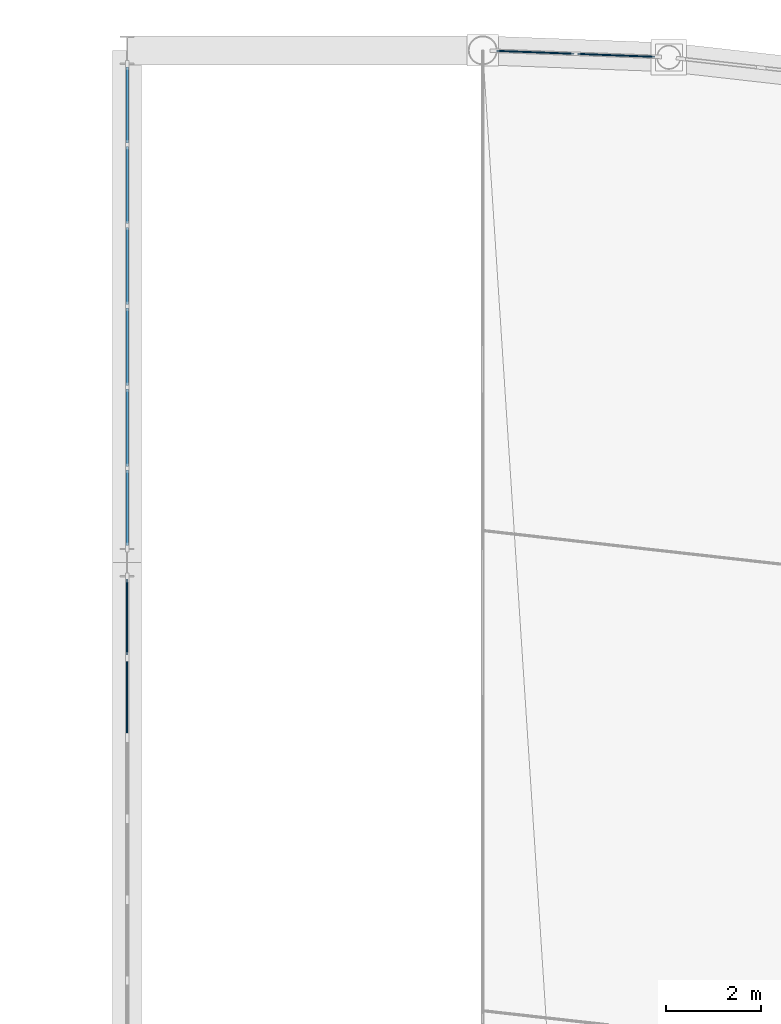
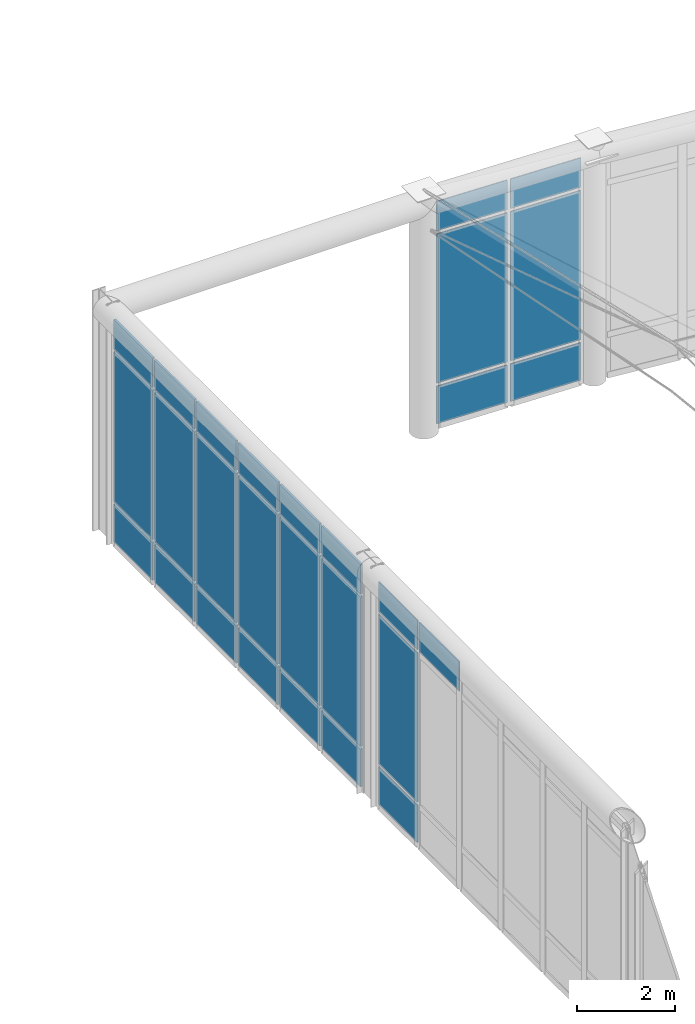
# One storey, part 69 of 101: 28 plates, 3 elements without a shape of their own.
"""IFC4 building model written with IfcOpenShell, lengths in metres."""

from ifc_helpers import new_model, si_unit, direction, frame, origin, origin_2d, place, context, subcontext, project, spatial, rectangle, extrude, material, layer, layer_set, type_object, element, aggregate, save


model = new_model("IFC4")

# Units and contexts
model_context = context("Model", 3, precision=1e-05, world=origin(), true_north=direction((0.0, 1.0)))
body_context = subcontext(model_context, "Body", "Model", "MODEL_VIEW")
ifc_project = project(units=[si_unit("LENGTHUNIT", "METRE"), si_unit("AREAUNIT", "SQUARE_METRE"), si_unit("VOLUMEUNIT", "CUBIC_METRE"), si_unit("PLANEANGLEUNIT", "RADIAN"), si_unit("MASSUNIT", "GRAM", prefix="KILO"), si_unit("THERMODYNAMICTEMPERATUREUNIT", "KELVIN"), si_unit("POWERUNIT", "WATT")], contexts=[model_context])

# Site, building, storey
site_placement = place(None, origin())
site = spatial("IfcSite", under=ifc_project, at=site_placement, CompositionType="ELEMENT")
building_placement = place(site_placement, origin())
building = spatial("IfcBuilding", under=site, at=building_placement, Name="Tembeka Court Mobility Hub", CompositionType="ELEMENT")
storey_placement = place(building_placement, frame((0.0, 0.0, 5.39990234375)))
storey = spatial("IfcBuildingStorey", under=building, at=storey_placement, Name="L01", CompositionType="ELEMENT", Elevation=5.39990234375)

# Curtain wall, plates
ifc_material_1 = material(Name="Anodised aluminium 6063-T6", Category="aluminium")
ifc_layer_1 = layer(ifc_material_1, 0.199951171875)
ifc_layer_set_1 = layer_set([ifc_layer_1], Name="Anodised aluminium 6063-T6")
curtain_wall_type_1 = type_object("IfcCurtainWallType", Name="CW-SYS25", PredefinedType="USERDEFINED", material=ifc_layer_set_1)
curtain_wall_1_placement = place(storey_placement, origin())
curtain_wall_1 = element("IfcCurtainWall", 1, at=curtain_wall_1_placement, inside=storey, type_object=curtain_wall_type_1, Name="Unitised curtain wall CW25 (CW-L01-082)", ObjectType="UNITISED GLAZING", PredefinedType="USERDEFINED")
ifc_material_2 = material(Name="Laminated solar-control low-E glass", Category="glass")
ifc_layer_2 = layer(ifc_material_2, 0.028076171875)
ifc_layer_set_2 = layer_set([ifc_layer_2], Name="Laminated solar-control low-E glass")
plate_type_1 = type_object("IfcPlateType", Name="PL-CW01", PredefinedType="CURTAIN_PANEL", material=ifc_layer_set_2)
plate_1_placement = place(storey_placement, frame((126.7138671875, 118.694580078125, 0.0751953125), z_axis=(0.0, 0.0, 1.0), x_axis=(-0.999300177968, 0.037405271186, 0.0)))
plate_1 = element("IfcPlate", 2, at=plate_1_placement, type_object=plate_type_1, Name="CW25 panel 1.1", PredefinedType="CURTAIN_PANEL", context=body_context, shape_type="SweptSolid", body=[
    extrude(rectangle(XDim=1.630615234375, YDim=0.028076171875, at=origin_2d()), origin(), (0.0, 0.0, 1.0), 0.9375),
])
plate_2_placement = place(storey_placement, frame((126.7138671875, 118.694580078125, 1.087646484375), z_axis=(0.0, 0.0, 1.0), x_axis=(-0.999300177968, 0.037405271186, 0.0)))
plate_2 = element("IfcPlate", 3, at=plate_2_placement, type_object=plate_type_1, Name="CW25 panel 1.2", PredefinedType="CURTAIN_PANEL", context=body_context, shape_type="SweptSolid", body=[
    extrude(rectangle(XDim=1.630615234375, YDim=0.028076171875, at=origin_2d()), origin(), (0.0, 0.0, 1.0), 3.72509765625),
])
plate_3_placement = place(storey_placement, frame((126.7138671875, 118.694580078125, 4.8876953125), z_axis=(0.0, 0.0, 1.0), x_axis=(-0.999300177968, 0.037405271186, 0.0)))
plate_3 = element("IfcPlate", 4, at=plate_3_placement, type_object=plate_type_1, Name="CW25 panel 1.3", PredefinedType="CURTAIN_PANEL", context=body_context, shape_type="SweptSolid", body=[
    extrude(rectangle(XDim=1.630615234375, YDim=0.028076171875, at=origin_2d()), origin(), (0.0, 0.0, 1.0), 0.737548828125),
])
plate_4_placement = place(storey_placement, frame((125.009521484375, 118.758544921875, 0.0751953125), z_axis=(0.0, 0.0, 1.0), x_axis=(-0.999300177968, 0.037405271186, 0.0)))
plate_4 = element("IfcPlate", 5, at=plate_4_placement, type_object=plate_type_1, Name="CW25 panel 2.1", PredefinedType="CURTAIN_PANEL", context=body_context, shape_type="SweptSolid", body=[
    extrude(rectangle(XDim=1.630615234375, YDim=0.028076171875, at=origin_2d()), origin(), (0.0, 0.0, 1.0), 0.9375),
])
plate_5_placement = place(storey_placement, frame((125.009521484375, 118.758544921875, 1.087646484375), z_axis=(0.0, 0.0, 1.0), x_axis=(-0.999300177968, 0.037405271186, 0.0)))
plate_5 = element("IfcPlate", 6, at=plate_5_placement, type_object=plate_type_1, Name="CW25 panel 2.2", PredefinedType="CURTAIN_PANEL", context=body_context, shape_type="SweptSolid", body=[
    extrude(rectangle(XDim=1.630615234375, YDim=0.028076171875, at=origin_2d()), origin(), (0.0, 0.0, 1.0), 3.72509765625),
])
plate_6_placement = place(storey_placement, frame((125.009521484375, 118.758544921875, 4.8876953125), z_axis=(0.0, 0.0, 1.0), x_axis=(-0.999300177968, 0.037405271186, 0.0)))
plate_6 = element("IfcPlate", 7, at=plate_6_placement, type_object=plate_type_1, Name="CW25 panel 2.3", PredefinedType="CURTAIN_PANEL", context=body_context, shape_type="SweptSolid", body=[
    extrude(rectangle(XDim=1.630615234375, YDim=0.028076171875, at=origin_2d()), origin(), (0.0, 0.0, 1.0), 0.737548828125),
])
aggregate(curtain_wall_1, [plate_1, plate_2, plate_3, plate_4, plate_5, plate_6])

ifc_layer_3 = layer(ifc_material_1, 0.199951171875)
ifc_layer_set_3 = layer_set([ifc_layer_3], Name="Anodised aluminium 6063-T6")
curtain_wall_type_2 = type_object("IfcCurtainWallType", Name="CW-SYS30", PredefinedType="USERDEFINED", material=ifc_layer_set_3)
curtain_wall_2_placement = place(storey_placement, origin())
curtain_wall_2 = element("IfcCurtainWall", 8, at=curtain_wall_2_placement, inside=storey, type_object=curtain_wall_type_2, Name="Unitised curtain wall CW30 (CW-L01-090)", ObjectType="UNITISED GLAZING", PredefinedType="USERDEFINED")
plate_7_placement = place(storey_placement, frame((116.39990234375, 105.159912109375, 4.8876953125), z_axis=(0.0, 0.0, 1.0), x_axis=(0.0, 1.0, 0.0)))
plate_7 = element("IfcPlate", 9, at=plate_7_placement, type_object=plate_type_1, Name="CW30 panel 5.3", PredefinedType="CURTAIN_PANEL", context=body_context, shape_type="SweptSolid", body=[
    extrude(rectangle(XDim=1.631591796875, YDim=0.028076171875, at=origin_2d()), origin(), (0.0, 0.0, 1.0), 0.737548828125),
])
plate_8_placement = place(storey_placement, frame((116.39990234375, 106.847900390625, 0.0751953125), z_axis=(0.0, 0.0, 1.0), x_axis=(0.0, 1.0, 0.0)))
plate_8 = element("IfcPlate", 10, at=plate_8_placement, type_object=plate_type_1, Name="CW30 panel 6.1", PredefinedType="CURTAIN_PANEL", context=body_context, shape_type="SweptSolid", body=[
    extrude(rectangle(XDim=1.59423828125, YDim=0.028076171875, at=origin_2d()), origin(), (0.0, 0.0, 1.0), 0.9375),
])
plate_9_placement = place(storey_placement, frame((116.39990234375, 106.847900390625, 1.087646484375), z_axis=(0.0, 0.0, 1.0), x_axis=(0.0, 1.0, 0.0)))
plate_9 = element("IfcPlate", 11, at=plate_9_placement, type_object=plate_type_1, Name="CW30 panel 6.2", PredefinedType="CURTAIN_PANEL", context=body_context, shape_type="SweptSolid", body=[
    extrude(rectangle(XDim=1.59423828125, YDim=0.028076171875, at=origin_2d()), origin(), (0.0, 0.0, 1.0), 3.72509765625),
])
plate_10_placement = place(storey_placement, frame((116.39990234375, 106.847900390625, 4.8876953125), z_axis=(0.0, 0.0, 1.0), x_axis=(0.0, 1.0, 0.0)))
plate_10 = element("IfcPlate", 12, at=plate_10_placement, type_object=plate_type_1, Name="CW30 panel 6.3", PredefinedType="CURTAIN_PANEL", context=body_context, shape_type="SweptSolid", body=[
    extrude(rectangle(XDim=1.59423828125, YDim=0.028076171875, at=origin_2d()), origin(), (0.0, 0.0, 1.0), 0.737548828125),
])
aggregate(curtain_wall_2, [plate_7, plate_8, plate_9, plate_10])

curtain_wall_3_placement = place(storey_placement, origin())
curtain_wall_3 = element("IfcCurtainWall", 13, at=curtain_wall_3_placement, inside=storey, type_object=curtain_wall_type_2, Name="Unitised curtain wall CW30 (CW-L01-092)", ObjectType="UNITISED GLAZING", PredefinedType="USERDEFINED")
ifc_material_3 = material(Name="Insulated aluminium spandrel panel", Category="aluminium")
ifc_layer_4 = layer(ifc_material_3, 0.052001953125)
ifc_layer_set_4 = layer_set([ifc_layer_4], Name="Insulated aluminium spandrel panel")
plate_type_2 = type_object("IfcPlateType", Name="PL-CW02", PredefinedType="CURTAIN_PANEL", material=ifc_layer_set_4)
plate_11_placement = place(storey_placement, frame((116.39990234375, 109.152099609375, 0.0751953125), z_axis=(0.0, 0.0, 1.0), x_axis=(0.0, 1.0, 0.0)))
plate_11 = element("IfcPlate", 14, at=plate_11_placement, type_object=plate_type_2, Name="CW30 panel 1.1", PredefinedType="CURTAIN_PANEL", context=body_context, shape_type="SweptSolid", body=[
    extrude(rectangle(XDim=1.59423828125, YDim=0.052001953125, at=origin_2d()), origin(), (0.0, 0.0, 1.0), 0.9375),
])
plate_12_placement = place(storey_placement, frame((116.39990234375, 109.152099609375, 1.087646484375), z_axis=(0.0, 0.0, 1.0), x_axis=(0.0, 1.0, 0.0)))
plate_12 = element("IfcPlate", 15, at=plate_12_placement, type_object=plate_type_2, Name="CW30 panel 1.2", PredefinedType="CURTAIN_PANEL", context=body_context, shape_type="SweptSolid", body=[
    extrude(rectangle(XDim=1.59423828125, YDim=0.052001953125, at=origin_2d()), origin(), (0.0, 0.0, 1.0), 3.72509765625),
])
plate_13_placement = place(storey_placement, frame((116.39990234375, 109.152099609375, 4.8876953125), z_axis=(0.0, 0.0, 1.0), x_axis=(0.0, 1.0, 0.0)))
plate_13 = element("IfcPlate", 16, at=plate_13_placement, type_object=plate_type_2, Name="CW30 panel 1.3", PredefinedType="CURTAIN_PANEL", context=body_context, shape_type="SweptSolid", body=[
    extrude(rectangle(XDim=1.59423828125, YDim=0.052001953125, at=origin_2d()), origin(), (0.0, 0.0, 1.0), 0.737548828125),
])
plate_14_placement = place(storey_placement, frame((116.39990234375, 110.840087890625, 0.0751953125), z_axis=(0.0, 0.0, 1.0), x_axis=(0.0, 1.0, 0.0)))
plate_14 = element("IfcPlate", 17, at=plate_14_placement, type_object=plate_type_2, Name="CW30 panel 2.1", PredefinedType="CURTAIN_PANEL", context=body_context, shape_type="SweptSolid", body=[
    extrude(rectangle(XDim=1.631591796875, YDim=0.052001953125, at=origin_2d()), origin(), (0.0, 0.0, 1.0), 0.9375),
])
plate_15_placement = place(storey_placement, frame((116.39990234375, 110.840087890625, 1.087646484375), z_axis=(0.0, 0.0, 1.0), x_axis=(0.0, 1.0, 0.0)))
plate_15 = element("IfcPlate", 18, at=plate_15_placement, type_object=plate_type_2, Name="CW30 panel 2.2", PredefinedType="CURTAIN_PANEL", context=body_context, shape_type="SweptSolid", body=[
    extrude(rectangle(XDim=1.631591796875, YDim=0.052001953125, at=origin_2d()), origin(), (0.0, 0.0, 1.0), 3.72509765625),
])
plate_16_placement = place(storey_placement, frame((116.39990234375, 110.840087890625, 4.8876953125), z_axis=(0.0, 0.0, 1.0), x_axis=(0.0, 1.0, 0.0)))
plate_16 = element("IfcPlate", 19, at=plate_16_placement, type_object=plate_type_2, Name="CW30 panel 2.3", PredefinedType="CURTAIN_PANEL", context=body_context, shape_type="SweptSolid", body=[
    extrude(rectangle(XDim=1.631591796875, YDim=0.052001953125, at=origin_2d()), origin(), (0.0, 0.0, 1.0), 0.737548828125),
])
plate_17_placement = place(storey_placement, frame((116.39990234375, 112.546630859375, 0.0751953125), z_axis=(0.0, 0.0, 1.0), x_axis=(0.0, 1.0, 0.0)))
plate_17 = element("IfcPlate", 20, at=plate_17_placement, type_object=plate_type_2, Name="CW30 panel 3.1", PredefinedType="CURTAIN_PANEL", context=body_context, shape_type="SweptSolid", body=[
    extrude(rectangle(XDim=1.631591796875, YDim=0.052001953125, at=origin_2d()), origin(), (0.0, 0.0, 1.0), 0.9375),
])
plate_18_placement = place(storey_placement, frame((116.39990234375, 112.546630859375, 1.087646484375), z_axis=(0.0, 0.0, 1.0), x_axis=(0.0, 1.0, 0.0)))
plate_18 = element("IfcPlate", 21, at=plate_18_placement, type_object=plate_type_2, Name="CW30 panel 3.2", PredefinedType="CURTAIN_PANEL", context=body_context, shape_type="SweptSolid", body=[
    extrude(rectangle(XDim=1.631591796875, YDim=0.052001953125, at=origin_2d()), origin(), (0.0, 0.0, 1.0), 3.72509765625),
])
plate_19_placement = place(storey_placement, frame((116.39990234375, 112.546630859375, 4.8876953125), z_axis=(0.0, 0.0, 1.0), x_axis=(0.0, 1.0, 0.0)))
plate_19 = element("IfcPlate", 22, at=plate_19_placement, type_object=plate_type_2, Name="CW30 panel 3.3", PredefinedType="CURTAIN_PANEL", context=body_context, shape_type="SweptSolid", body=[
    extrude(rectangle(XDim=1.631591796875, YDim=0.052001953125, at=origin_2d()), origin(), (0.0, 0.0, 1.0), 0.737548828125),
])
plate_20_placement = place(storey_placement, frame((116.39990234375, 114.25341796875, 0.0751953125), z_axis=(0.0, 0.0, 1.0), x_axis=(0.0, 1.0, 0.0)))
plate_20 = element("IfcPlate", 23, at=plate_20_placement, type_object=plate_type_2, Name="CW30 panel 4.1", PredefinedType="CURTAIN_PANEL", context=body_context, shape_type="SweptSolid", body=[
    extrude(rectangle(XDim=1.631591796875, YDim=0.052001953125, at=origin_2d()), origin(), (0.0, 0.0, 1.0), 0.9375),
])
plate_21_placement = place(storey_placement, frame((116.39990234375, 114.25341796875, 1.087646484375), z_axis=(0.0, 0.0, 1.0), x_axis=(0.0, 1.0, 0.0)))
plate_21 = element("IfcPlate", 24, at=plate_21_placement, type_object=plate_type_2, Name="CW30 panel 4.2", PredefinedType="CURTAIN_PANEL", context=body_context, shape_type="SweptSolid", body=[
    extrude(rectangle(XDim=1.631591796875, YDim=0.052001953125, at=origin_2d()), origin(), (0.0, 0.0, 1.0), 3.72509765625),
])
plate_22_placement = place(storey_placement, frame((116.39990234375, 114.25341796875, 4.8876953125), z_axis=(0.0, 0.0, 1.0), x_axis=(0.0, 1.0, 0.0)))
plate_22 = element("IfcPlate", 25, at=plate_22_placement, type_object=plate_type_2, Name="CW30 panel 4.3", PredefinedType="CURTAIN_PANEL", context=body_context, shape_type="SweptSolid", body=[
    extrude(rectangle(XDim=1.631591796875, YDim=0.052001953125, at=origin_2d()), origin(), (0.0, 0.0, 1.0), 0.737548828125),
])
plate_23_placement = place(storey_placement, frame((116.39990234375, 115.9599609375, 0.0751953125), z_axis=(0.0, 0.0, 1.0), x_axis=(0.0, 1.0, 0.0)))
plate_23 = element("IfcPlate", 26, at=plate_23_placement, type_object=plate_type_2, Name="CW30 panel 5.1", PredefinedType="CURTAIN_PANEL", context=body_context, shape_type="SweptSolid", body=[
    extrude(rectangle(XDim=1.631591796875, YDim=0.052001953125, at=origin_2d()), origin(), (0.0, 0.0, 1.0), 0.9375),
])
plate_24_placement = place(storey_placement, frame((116.39990234375, 115.9599609375, 1.087646484375), z_axis=(0.0, 0.0, 1.0), x_axis=(0.0, 1.0, 0.0)))
plate_24 = element("IfcPlate", 27, at=plate_24_placement, type_object=plate_type_2, Name="CW30 panel 5.2", PredefinedType="CURTAIN_PANEL", context=body_context, shape_type="SweptSolid", body=[
    extrude(rectangle(XDim=1.631591796875, YDim=0.052001953125, at=origin_2d()), origin(), (0.0, 0.0, 1.0), 3.72509765625),
])
plate_25_placement = place(storey_placement, frame((116.39990234375, 115.9599609375, 4.8876953125), z_axis=(0.0, 0.0, 1.0), x_axis=(0.0, 1.0, 0.0)))
plate_25 = element("IfcPlate", 28, at=plate_25_placement, type_object=plate_type_2, Name="CW30 panel 5.3", PredefinedType="CURTAIN_PANEL", context=body_context, shape_type="SweptSolid", body=[
    extrude(rectangle(XDim=1.631591796875, YDim=0.052001953125, at=origin_2d()), origin(), (0.0, 0.0, 1.0), 0.737548828125),
])
plate_26_placement = place(storey_placement, frame((116.39990234375, 117.64794921875, 0.0751953125), z_axis=(0.0, 0.0, 1.0), x_axis=(0.0, 1.0, 0.0)))
plate_26 = element("IfcPlate", 29, at=plate_26_placement, type_object=plate_type_2, Name="CW30 panel 6.1", PredefinedType="CURTAIN_PANEL", context=body_context, shape_type="SweptSolid", body=[
    extrude(rectangle(XDim=1.59423828125, YDim=0.052001953125, at=origin_2d()), origin(), (0.0, 0.0, 1.0), 0.9375),
])
plate_27_placement = place(storey_placement, frame((116.39990234375, 117.64794921875, 1.087646484375), z_axis=(0.0, 0.0, 1.0), x_axis=(0.0, 1.0, 0.0)))
plate_27 = element("IfcPlate", 30, at=plate_27_placement, type_object=plate_type_2, Name="CW30 panel 6.2", PredefinedType="CURTAIN_PANEL", context=body_context, shape_type="SweptSolid", body=[
    extrude(rectangle(XDim=1.59423828125, YDim=0.052001953125, at=origin_2d()), origin(), (0.0, 0.0, 1.0), 3.72509765625),
])
plate_28_placement = place(storey_placement, frame((116.39990234375, 117.64794921875, 4.8876953125), z_axis=(0.0, 0.0, 1.0), x_axis=(0.0, 1.0, 0.0)))
plate_28 = element("IfcPlate", 31, at=plate_28_placement, type_object=plate_type_2, Name="CW30 panel 6.3", PredefinedType="CURTAIN_PANEL", context=body_context, shape_type="SweptSolid", body=[
    extrude(rectangle(XDim=1.59423828125, YDim=0.052001953125, at=origin_2d()), origin(), (0.0, 0.0, 1.0), 0.737548828125),
])
aggregate(curtain_wall_3, [plate_11, plate_12, plate_13, plate_14, plate_15, plate_16, plate_17, plate_18, plate_19, plate_20, plate_21, plate_22, plate_23, plate_24, plate_25, plate_26, plate_27, plate_28])

save(model, "model.ifc")
